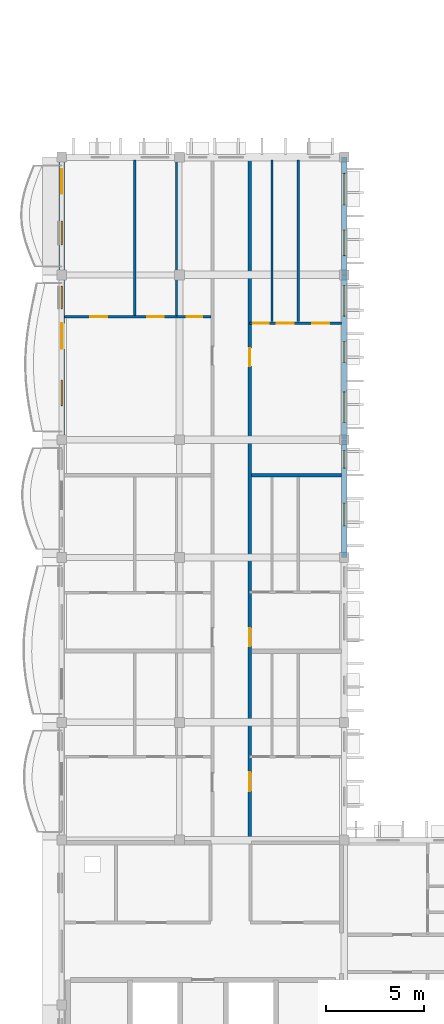
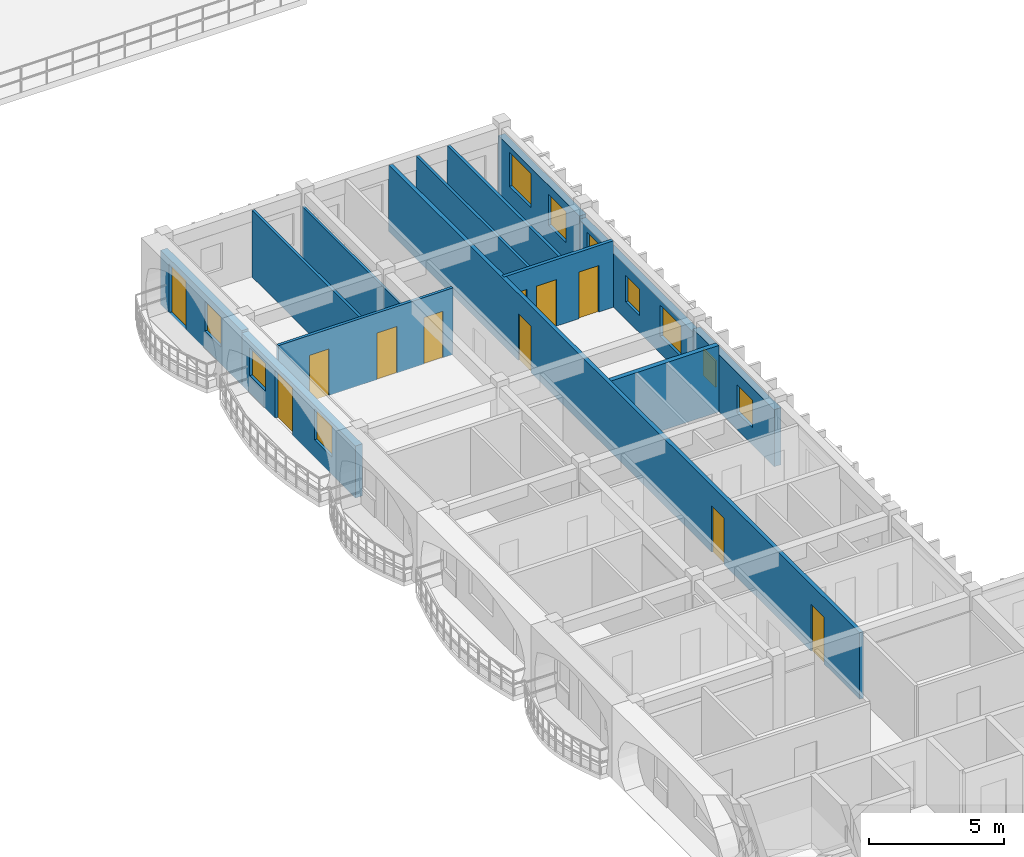
# One storey, part 18 of 66: 13 walls, 11 doors, 10 windows, 21 openings.
"""IFC4 building model written with IfcOpenShell, lengths in metres."""

from ifc_helpers import new_model, si_unit, direction, frame, frame_2d, origin, place, context, subcontext, project, spatial, rectangle, extrude, material, layer, layer_set, type_object, element, fill, save


model = new_model("IFC4")

# Units and contexts
model_context = context("Model", 3, precision=1e-05, world=origin(), true_north=direction((0.0, 1.0)))
body_context = subcontext(model_context, "Body", "Model", "MODEL_VIEW")
ifc_project = project(units=[si_unit("LENGTHUNIT", "METRE"), si_unit("AREAUNIT", "SQUARE_METRE"), si_unit("VOLUMEUNIT", "CUBIC_METRE"), si_unit("PLANEANGLEUNIT", "RADIAN"), si_unit("MASSUNIT", "GRAM", prefix="KILO"), si_unit("THERMODYNAMICTEMPERATUREUNIT", "KELVIN")], contexts=[model_context])

# Site, building, storey
site_placement = place(None, origin())
site = spatial("IfcSite", under=ifc_project, at=site_placement, CompositionType="ELEMENT")
building_placement = place(site_placement, origin())
building = spatial("IfcBuilding", under=site, at=building_placement, Name="Thalorik Housing Commons", CompositionType="ELEMENT")
storey_placement = place(building_placement, frame((0.0, 0.0, 21.300048828125)))
storey = spatial("IfcBuildingStorey", under=building, at=storey_placement, Name="L06", CompositionType="ELEMENT", Elevation=21.300048828125)

# Wall, openings, doors
ifc_material_1 = material(Name="Masonry fire-rated corridor wall", Category="masonry")
ifc_layer_1 = layer(ifc_material_1, 0.1650390625, Name="Masonry fire-rated corridor wall", Category="masonry")
ifc_layer_set_1 = layer_set([ifc_layer_1], Name="Masonry fire-rated corridor wall")
wall_type_1 = type_object("IfcWallType", Name="ARC-WAL-CORR-165", PredefinedType="PARTITIONING", material=ifc_layer_set_1)
wall_1_placement = place(storey_placement, frame((17.97998046875, 22.659912109375, 0.0), z_axis=(0.0, 0.0, 1.0), x_axis=(0.0, 1.0, 0.0)))
wall_1 = element("IfcWall", 1, at=wall_1_placement, inside=storey, type_object=wall_type_1, Name="L06 Block C W Corridor Wall 2", PredefinedType="PARTITIONING", context=body_context, shape_type="SweptSolid", body=[
    extrude(rectangle(XDim=34.79296875, YDim=0.1650390625, at=frame_2d((17.396484375, 0.0))), origin(), (0.0, 0.0, 1.0), 3.0),
])
opening_1_placement = place(wall_1_placement, frame((2.63037109375, 0.0, 0.0)))
opening_1 = element("IfcOpeningElement", 2, at=opening_1_placement, cuts=wall_1, Name="Opening ID-1815", PredefinedType="OPENING", context=body_context, shape_type="SweptSolid", body=[
    extrude(rectangle(XDim=0.9599609375, YDim=2.1201171875, at=frame_2d((0.47998046875, 1.06005859375))), frame((0.0, 0.092529296875, 0.0), z_axis=(0.0, -1.0, 0.0), x_axis=(1.0, 0.0, 0.0)), (0.0, 0.0, 1.0), 0.18505859375),
])
opening_2_placement = place(wall_1_placement, frame((10.02001953125, 0.0, 0.0)))
opening_2 = element("IfcOpeningElement", 3, at=opening_2_placement, cuts=wall_1, Name="Opening ID-1816", PredefinedType="OPENING", context=body_context, shape_type="SweptSolid", body=[
    extrude(rectangle(XDim=0.919921875, YDim=2.10009765625, at=frame_2d((0.4599609375, 1.050048828125))), frame((0.0, 0.092529296875, 0.0), z_axis=(0.0, -1.0, 0.0), x_axis=(1.0, 0.0, 0.0)), (0.0, 0.0, 1.0), 0.18505859375),
])
opening_3_placement = place(wall_1_placement, frame((24.288818359375, 0.0, 0.0)))
opening_3 = element("IfcOpeningElement", 4, at=opening_3_placement, cuts=wall_1, Name="Opening ID-1817", PredefinedType="OPENING", context=body_context, shape_type="SweptSolid", body=[
    extrude(rectangle(XDim=0.919921875, YDim=2.10009765625, at=frame_2d((0.4599609375, 1.050048828125))), frame((0.0, 0.092529296875, 0.0), z_axis=(0.0, -1.0, 0.0), x_axis=(1.0, 0.0, 0.0)), (0.0, 0.0, 1.0), 0.18505859375),
])
ifc_material_2 = material(Name="Solid core hardwood timber", Category="wood")
door_type_1 = type_object("IfcDoorType", Name="ARC-DR-FD30-920", OperationType="NOTDEFINED", PredefinedType="DOOR", material=ifc_material_2)
door_1_placement = place(opening_2_placement, origin())
door_1 = element("IfcDoor", 5, at=door_1_placement, inside=storey, type_object=door_type_1, Name="L06 Flat CW-2B Entrance Door", OperationType="SINGLE_SWING_LEFT", OverallHeight=2.10009765625, OverallWidth=0.919921875, PredefinedType="DOOR", context=body_context, shape_type="SweptSolid", body=[
    extrude(rectangle(XDim=0.919921875, YDim=2.10009765625, at=frame_2d((0.4599609375, 1.050048828125))), frame((0.0, 0.02490234375, 0.0), z_axis=(0.0, -1.0, 0.0), x_axis=(1.0, 0.0, 0.0)), (0.0, 0.0, 1.0), 0.050048828125),
])
fill(opening_2, door_1)
door_2_placement = place(opening_3_placement, origin())
door_2 = element("IfcDoor", 6, at=door_2_placement, inside=storey, type_object=door_type_1, Name="L06 Flat CW-3B Entrance Door", OperationType="SINGLE_SWING_RIGHT", OverallHeight=2.10009765625, OverallWidth=0.919921875, PredefinedType="DOOR", context=body_context, shape_type="SweptSolid", body=[
    extrude(rectangle(XDim=0.919921875, YDim=2.10009765625, at=frame_2d((0.4599609375, 1.050048828125))), frame((0.0, 0.02490234375, 0.0), z_axis=(0.0, -1.0, 0.0), x_axis=(1.0, 0.0, 0.0)), (0.0, 0.0, 1.0), 0.050048828125),
])
fill(opening_3, door_2)
door_type_2 = type_object("IfcDoorType", Name="ARC-DR-FD30-960", OperationType="NOTDEFINED", PredefinedType="DOOR", material=ifc_material_2)
door_3_placement = place(opening_1_placement, origin())
door_3 = element("IfcDoor", 7, at=door_3_placement, inside=storey, type_object=door_type_2, Name="L06 Flat CW-1B Entrance Door", OperationType="SINGLE_SWING_RIGHT", OverallHeight=2.1201171875, OverallWidth=0.9599609375, PredefinedType="DOOR", context=body_context, shape_type="SweptSolid", body=[
    extrude(rectangle(XDim=0.9599609375, YDim=2.1201171875, at=frame_2d((0.47998046875, 1.06005859375))), frame((0.0, 0.02490234375, 0.0), z_axis=(0.0, -1.0, 0.0), x_axis=(1.0, 0.0, 0.0)), (0.0, 0.0, 1.0), 0.050048828125),
])
fill(opening_1, door_3)

# Wall, openings, windows
ifc_material_3 = material(Name="White precast concrete C40/50", Category="concrete")
ifc_layer_2 = layer(ifc_material_3, 0.2900390625, Name="White precast concrete C40/50", Category="concrete")
ifc_layer_set_2 = layer_set([ifc_layer_2], Name="White precast concrete C40/50")
wall_type_2 = type_object("IfcWallType", Name="ARC-WAL-EXT-290", PredefinedType="STANDARD", material=ifc_layer_set_2)
wall_2_placement = place(storey_placement, frame((22.800048828125, 37.199951171875, 0.0), z_axis=(0.0, 0.0, 1.0), x_axis=(0.0, 1.0, 0.0)))
wall_2 = element("IfcWall", 8, at=wall_2_placement, inside=storey, type_object=wall_type_2, Name="L06 Exterior Wall WAL-EXT-L06-C-0991", PredefinedType="STANDARD", context=body_context, shape_type="SweptSolid", body=[
    extrude(rectangle(XDim=6.0, YDim=0.2900390625, at=frame_2d((3.0, 0.0))), origin(), (0.0, 0.0, 1.0), 2.574951171875),
])
opening_4_placement = place(wall_2_placement, frame((1.614990234375, 0.0, 0.780029296875)))
opening_4 = element("IfcOpeningElement", 9, at=opening_4_placement, cuts=wall_2, Name="Opening W-45", PredefinedType="OPENING", context=body_context, shape_type="SweptSolid", body=[
    extrude(rectangle(XDim=1.14990234375, YDim=1.25, at=frame_2d((0.574951171875, 0.625))), frame((0.0, 0.155029296875, 0.0), z_axis=(0.0, -1.0, 0.0), x_axis=(1.0, 0.0, 0.0)), (0.0, 0.0, 1.0), 0.31005859375),
])
opening_5_placement = place(wall_2_placement, frame((4.550048828125, 0.0, 0.780029296875)))
opening_5 = element("IfcOpeningElement", 10, at=opening_5_placement, cuts=wall_2, Name="Opening W-01", PredefinedType="OPENING", context=body_context, shape_type="SweptSolid", body=[
    extrude(rectangle(XDim=0.89990234375, YDim=1.199951171875, at=frame_2d((0.449951171875, 0.60009765625))), frame((0.0, 0.155029296875, 0.0), z_axis=(0.0, -1.0, 0.0), x_axis=(1.0, 0.0, 0.0)), (0.0, 0.0, 1.0), 0.31005859375),
])
ifc_material_4 = material(Name="Anodised aluminium and solar-control low-E glass", Category="aluminium")
window_type_1 = type_object("IfcWindowType", Name="ARC-WIN-01", PartitioningType="SINGLE_PANEL", PredefinedType="WINDOW", material=ifc_material_4)
window_1_placement = place(opening_5_placement, origin())
window_1 = element("IfcWindow", 11, at=window_1_placement, inside=storey, type_object=window_type_1, Name="L06 Facade Window 1831", OverallHeight=1.199951171875, OverallWidth=0.89990234375, PartitioningType="SINGLE_PANEL", PredefinedType="WINDOW", context=body_context, shape_type="SweptSolid", body=[
    extrude(rectangle(XDim=0.89990234375, YDim=1.199951171875, at=frame_2d((0.449951171875, 0.60009765625))), frame((0.0, 0.030029296875, 0.0), z_axis=(0.0, -1.0, 0.0), x_axis=(1.0, 0.0, 0.0)), (0.0, 0.0, 1.0), 0.06005859375),
])
fill(opening_5, window_1)
window_type_2 = type_object("IfcWindowType", Name="ARC-WIN-45", PartitioningType="SINGLE_PANEL", PredefinedType="WINDOW", material=ifc_material_4)
window_2_placement = place(opening_4_placement, origin())
window_2 = element("IfcWindow", 12, at=window_2_placement, inside=storey, type_object=window_type_2, Name="L06 Facade Window 1830", OverallHeight=1.25, OverallWidth=1.14990234375, PartitioningType="SINGLE_PANEL", PredefinedType="WINDOW", context=body_context, shape_type="SweptSolid", body=[
    extrude(rectangle(XDim=1.14990234375, YDim=1.25, at=frame_2d((0.574951171875, 0.625))), frame((0.0, 0.030029296875, 0.0), z_axis=(0.0, -1.0, 0.0), x_axis=(1.0, 0.0, 0.0)), (0.0, 0.0, 1.0), 0.06005859375),
])
fill(opening_4, window_2)

wall_3_placement = place(storey_placement, frame((22.800048828125, 43.199951171875, 0.0), z_axis=(0.0, 0.0, 1.0), x_axis=(0.0, 1.0, 0.0)))
wall_3 = element("IfcWall", 13, at=wall_3_placement, inside=storey, type_object=wall_type_2, Name="L06 Exterior Wall WAL-EXT-L06-C-0992", PredefinedType="STANDARD", context=body_context, shape_type="SweptSolid", body=[
    extrude(rectangle(XDim=8.400146484375, YDim=0.2900390625, at=frame_2d((4.2001953125, 0.0))), origin(), (0.0, 0.0, 1.0), 2.425048828125),
])
opening_6_placement = place(wall_3_placement, frame((0.887939453125, 0.0, 0.780029296875)))
opening_6 = element("IfcOpeningElement", 14, at=opening_6_placement, cuts=wall_3, Name="Opening W-12", PredefinedType="OPENING", context=body_context, shape_type="SweptSolid", body=[
    extrude(rectangle(XDim=1.550048828125, YDim=1.39990234375, at=frame_2d((0.77490234375, 0.699951171875))), frame((0.0, 0.155029296875, 0.0), z_axis=(0.0, -1.0, 0.0), x_axis=(1.0, 0.0, 0.0)), (0.0, 0.0, 1.0), 0.31005859375),
])
opening_7_placement = place(wall_3_placement, frame((3.944091796875, 0.0, 0.780029296875)))
opening_7 = element("IfcOpeningElement", 15, at=opening_7_placement, cuts=wall_3, Name="Opening W-44", PredefinedType="OPENING", context=body_context, shape_type="SweptSolid", body=[
    extrude(rectangle(XDim=1.050048828125, YDim=1.199951171875, at=frame_2d((0.52490234375, 0.60009765625))), frame((0.0, 0.155029296875, 0.0), z_axis=(0.0, -1.0, 0.0), x_axis=(1.0, 0.0, 0.0)), (0.0, 0.0, 1.0), 0.31005859375),
])
opening_8_placement = place(wall_3_placement, frame((6.301025390625, 0.0, 0.780029296875)))
opening_8 = element("IfcOpeningElement", 16, at=opening_8_placement, cuts=wall_3, Name="Opening W-12", PredefinedType="OPENING", context=body_context, shape_type="SweptSolid", body=[
    extrude(rectangle(XDim=1.550048828125, YDim=1.39990234375, at=frame_2d((0.77490234375, 0.699951171875))), frame((0.0, 0.155029296875, 0.0), z_axis=(0.0, -1.0, 0.0), x_axis=(1.0, 0.0, 0.0)), (0.0, 0.0, 1.0), 0.31005859375),
])
window_type_3 = type_object("IfcWindowType", Name="ARC-WIN-12", PartitioningType="SINGLE_PANEL", PredefinedType="WINDOW", material=ifc_material_4)
window_3_placement = place(opening_6_placement, origin())
window_3 = element("IfcWindow", 17, at=window_3_placement, inside=storey, type_object=window_type_3, Name="L06 Facade Window 1832", OverallHeight=1.39990234375, OverallWidth=1.550048828125, PartitioningType="SINGLE_PANEL", PredefinedType="WINDOW", context=body_context, shape_type="SweptSolid", body=[
    extrude(rectangle(XDim=1.550048828125, YDim=1.39990234375, at=frame_2d((0.77490234375, 0.699951171875))), frame((0.0, 0.030029296875, 0.0), z_axis=(0.0, -1.0, 0.0), x_axis=(1.0, 0.0, 0.0)), (0.0, 0.0, 1.0), 0.06005859375),
])
fill(opening_6, window_3)
window_4_placement = place(opening_8_placement, origin())
window_4 = element("IfcWindow", 18, at=window_4_placement, inside=storey, type_object=window_type_3, Name="L06 Facade Window 1834", OverallHeight=1.39990234375, OverallWidth=1.550048828125, PartitioningType="SINGLE_PANEL", PredefinedType="WINDOW", context=body_context, shape_type="SweptSolid", body=[
    extrude(rectangle(XDim=1.550048828125, YDim=1.39990234375, at=frame_2d((0.77490234375, 0.699951171875))), frame((0.0, 0.030029296875, 0.0), z_axis=(0.0, -1.0, 0.0), x_axis=(1.0, 0.0, 0.0)), (0.0, 0.0, 1.0), 0.06005859375),
])
fill(opening_8, window_4)
window_type_4 = type_object("IfcWindowType", Name="ARC-WIN-44", PartitioningType="SINGLE_PANEL", PredefinedType="WINDOW", material=ifc_material_4)
window_5_placement = place(opening_7_placement, origin())
window_5 = element("IfcWindow", 19, at=window_5_placement, inside=storey, type_object=window_type_4, Name="L06 Facade Window 1833", OverallHeight=1.199951171875, OverallWidth=1.050048828125, PartitioningType="SINGLE_PANEL", PredefinedType="WINDOW", context=body_context, shape_type="SweptSolid", body=[
    extrude(rectangle(XDim=1.050048828125, YDim=1.199951171875, at=frame_2d((0.52490234375, 0.60009765625))), frame((0.0, 0.030029296875, 0.0), z_axis=(0.0, -1.0, 0.0), x_axis=(1.0, 0.0, 0.0)), (0.0, 0.0, 1.0), 0.06005859375),
])
fill(opening_7, window_5)

wall_4_placement = place(storey_placement, frame((22.800048828125, 51.60009765625, 0.0), z_axis=(0.0, 0.0, 1.0), x_axis=(0.0, 1.0, 0.0)))
wall_4 = element("IfcWall", 20, at=wall_4_placement, inside=storey, type_object=wall_type_2, Name="L06 Exterior Wall WAL-EXT-L06-C-0993", PredefinedType="STANDARD", context=body_context, shape_type="SweptSolid", body=[
    extrude(rectangle(XDim=6.0, YDim=0.2900390625, at=frame_2d((3.0, 0.0))), origin(), (0.0, 0.0, 1.0), 2.574951171875),
])
opening_9_placement = place(wall_4_placement, frame((0.97998046875, 0.0, 0.780029296875)))
opening_9 = element("IfcOpeningElement", 21, at=opening_9_placement, cuts=wall_4, Name="Opening W-06", PredefinedType="OPENING", context=body_context, shape_type="SweptSolid", body=[
    extrude(rectangle(XDim=1.300048828125, YDim=1.39990234375, at=frame_2d((0.64990234375, 0.699951171875))), frame((0.0, 0.155029296875, 0.0), z_axis=(0.0, -1.0, 0.0), x_axis=(1.0, 0.0, 0.0)), (0.0, 0.0, 1.0), 0.31005859375),
])
opening_10_placement = place(wall_4_placement, frame((3.570068359375, 0.0, 0.780029296875)))
opening_10 = element("IfcOpeningElement", 22, at=opening_10_placement, cuts=wall_4, Name="Opening W-13", PredefinedType="OPENING", context=body_context, shape_type="SweptSolid", body=[
    extrude(rectangle(XDim=1.60009765625, YDim=1.550048828125, at=frame_2d((0.800048828125, 0.77490234375))), frame((0.0, 0.155029296875, 0.0), z_axis=(0.0, -1.0, 0.0), x_axis=(1.0, 0.0, 0.0)), (0.0, 0.0, 1.0), 0.31005859375),
])
window_type_5 = type_object("IfcWindowType", Name="ARC-WIN-06", PartitioningType="SINGLE_PANEL", PredefinedType="WINDOW", material=ifc_material_4)
window_6_placement = place(opening_9_placement, origin())
window_6 = element("IfcWindow", 23, at=window_6_placement, inside=storey, type_object=window_type_5, Name="L06 Facade Window 1835", OverallHeight=1.39990234375, OverallWidth=1.300048828125, PartitioningType="SINGLE_PANEL", PredefinedType="WINDOW", context=body_context, shape_type="SweptSolid", body=[
    extrude(rectangle(XDim=1.300048828125, YDim=1.39990234375, at=frame_2d((0.64990234375, 0.699951171875))), frame((0.0, 0.030029296875, 0.0), z_axis=(0.0, -1.0, 0.0), x_axis=(1.0, 0.0, 0.0)), (0.0, 0.0, 1.0), 0.06005859375),
])
fill(opening_9, window_6)
window_type_6 = type_object("IfcWindowType", Name="ARC-WIN-13", PartitioningType="DOUBLE_PANEL_VERTICAL", PredefinedType="WINDOW", material=ifc_material_4)
window_7_placement = place(opening_10_placement, origin())
window_7 = element("IfcWindow", 24, at=window_7_placement, inside=storey, type_object=window_type_6, Name="L06 Facade Window 1836", OverallHeight=1.550048828125, OverallWidth=1.60009765625, PartitioningType="DOUBLE_PANEL_VERTICAL", PredefinedType="WINDOW", context=body_context, shape_type="SweptSolid", body=[
    extrude(rectangle(XDim=1.60009765625, YDim=1.550048828125, at=frame_2d((0.800048828125, 0.77490234375))), frame((0.0, 0.030029296875, 0.0), z_axis=(0.0, -1.0, 0.0), x_axis=(1.0, 0.0, 0.0)), (0.0, 0.0, 1.0), 0.06005859375),
])
fill(opening_10, window_7)

# Wall, openings, door, window
wall_5_placement = place(storey_placement, frame((8.39990234375, 57.60009765625, 0.0), z_axis=(0.0, 0.0, 1.0), x_axis=(0.0, -1.0, 0.0)))
wall_5 = element("IfcWall", 25, at=wall_5_placement, inside=storey, type_object=wall_type_2, Name="L06 Exterior Wall WAL-EXT-L06-C-0996", PredefinedType="STANDARD", context=body_context, shape_type="SweptSolid", body=[
    extrude(rectangle(XDim=6.0, YDim=0.2900390625, at=frame_2d((3.0, 0.0))), origin(), (0.0, 0.0, 1.0), 2.445068359375),
])
opening_11_placement = place(wall_5_placement, frame((0.6201171875, 0.0, 0.0)))
opening_11 = element("IfcOpeningElement", 26, at=opening_11_placement, cuts=wall_5, Name="Opening ED-0328", PredefinedType="OPENING", context=body_context, shape_type="SweptSolid", body=[
    extrude(rectangle(XDim=1.25, YDim=2.199951171875, at=frame_2d((0.625, 1.10009765625))), frame((0.0, 0.155029296875, 0.0), z_axis=(0.0, -1.0, 0.0), x_axis=(1.0, 0.0, 0.0)), (0.0, 0.0, 1.0), 0.31005859375),
])
opening_12_placement = place(wall_5_placement, frame((3.264892578125, 0.0, 0.780029296875)))
opening_12 = element("IfcOpeningElement", 27, at=opening_12_placement, cuts=wall_5, Name="Opening W-04", PredefinedType="OPENING", context=body_context, shape_type="SweptSolid", body=[
    extrude(rectangle(XDim=1.199951171875, YDim=1.35009765625, at=frame_2d((0.60009765625, 0.675048828125))), frame((0.0, 0.155029296875, 0.0), z_axis=(0.0, -1.0, 0.0), x_axis=(1.0, 0.0, 0.0)), (0.0, 0.0, 1.0), 0.31005859375),
])
ifc_material_5 = material(Name="Anodised aluminium and laminated safety glass", Category="aluminium")
door_type_3 = type_object("IfcDoorType", Name="ARC-DR-BAL-1250", OperationType="NOTDEFINED", PredefinedType="DOOR", material=ifc_material_5)
door_4_placement = place(opening_11_placement, frame((1.25, 0.0, 0.0), z_axis=(0.0, 0.0, 1.0), x_axis=(-1.0, 0.0, 0.0)))
door_4 = element("IfcDoor", 28, at=door_4_placement, inside=storey, type_object=door_type_3, Name="L06 Block C Balcony Glazed Door", OperationType="SINGLE_SWING_LEFT", OverallHeight=2.199951171875, OverallWidth=1.25, PredefinedType="DOOR", context=body_context, shape_type="SweptSolid", body=[
    extrude(rectangle(XDim=1.25, YDim=2.199951171875, at=frame_2d((0.625, 1.10009765625))), frame((0.0, 0.02490234375, 0.0), z_axis=(0.0, -1.0, 0.0), x_axis=(1.0, 0.0, 0.0)), (0.0, 0.0, 1.0), 0.050048828125),
])
fill(opening_11, door_4)
window_type_7 = type_object("IfcWindowType", Name="ARC-WIN-04", PartitioningType="SINGLE_PANEL", PredefinedType="WINDOW", material=ifc_material_4)
window_8_placement = place(opening_12_placement, origin())
window_8 = element("IfcWindow", 29, at=window_8_placement, inside=storey, type_object=window_type_7, Name="L06 Facade Window 1842", OverallHeight=1.35009765625, OverallWidth=1.199951171875, PartitioningType="SINGLE_PANEL", PredefinedType="WINDOW", context=body_context, shape_type="SweptSolid", body=[
    extrude(rectangle(XDim=1.199951171875, YDim=1.35009765625, at=frame_2d((0.60009765625, 0.675048828125))), frame((0.0, 0.030029296875, 0.0), z_axis=(0.0, -1.0, 0.0), x_axis=(1.0, 0.0, 0.0)), (0.0, 0.0, 1.0), 0.06005859375),
])
fill(opening_12, window_8)

# Wall, openings, door, windows
wall_6_placement = place(storey_placement, frame((8.39990234375, 51.60009765625, 0.0), z_axis=(0.0, 0.0, 1.0), x_axis=(0.0, -1.0, 0.0)))
wall_6 = element("IfcWall", 30, at=wall_6_placement, inside=storey, type_object=wall_type_2, Name="L06 Exterior Wall WAL-EXT-L06-C-0997", PredefinedType="STANDARD", context=body_context, shape_type="SweptSolid", body=[
    extrude(rectangle(XDim=8.400146484375, YDim=0.2900390625, at=frame_2d((4.2001953125, 0.0))), origin(), (0.0, 0.0, 1.0), 2.344970703125),
])
opening_13_placement = place(wall_6_placement, frame((2.465087890625, 0.0, 0.0)))
opening_13 = element("IfcOpeningElement", 31, at=opening_13_placement, cuts=wall_6, Name="Opening ED-0329", PredefinedType="OPENING", context=body_context, shape_type="SweptSolid", body=[
    extrude(rectangle(XDim=1.300048828125, YDim=2.14990234375, at=frame_2d((0.64990234375, 1.074951171875))), frame((0.0, 0.155029296875, 0.0), z_axis=(0.0, -1.0, 0.0), x_axis=(1.0, 0.0, 0.0)), (0.0, 0.0, 1.0), 0.31005859375),
])
opening_14_placement = place(wall_6_placement, frame((0.58740234375, 0.0, 0.780029296875)))
opening_14 = element("IfcOpeningElement", 32, at=opening_14_placement, cuts=wall_6, Name="Opening W-45", PredefinedType="OPENING", context=body_context, shape_type="SweptSolid", body=[
    extrude(rectangle(XDim=1.14990234375, YDim=1.25, at=frame_2d((0.574951171875, 0.625))), frame((0.0, 0.155029296875, 0.0), z_axis=(0.0, -1.0, 0.0), x_axis=(1.0, 0.0, 0.0)), (0.0, 0.0, 1.0), 0.31005859375),
])
opening_15_placement = place(wall_6_placement, frame((5.362548828125, 0.0, 0.780029296875)))
opening_15 = element("IfcOpeningElement", 33, at=opening_15_placement, cuts=wall_6, Name="Opening W-06", PredefinedType="OPENING", context=body_context, shape_type="SweptSolid", body=[
    extrude(rectangle(XDim=1.300048828125, YDim=1.39990234375, at=frame_2d((0.64990234375, 0.699951171875))), frame((0.0, 0.155029296875, 0.0), z_axis=(0.0, -1.0, 0.0), x_axis=(1.0, 0.0, 0.0)), (0.0, 0.0, 1.0), 0.31005859375),
])
door_type_4 = type_object("IfcDoorType", Name="ARC-DR-BAL-1300", OperationType="NOTDEFINED", PredefinedType="DOOR", material=ifc_material_5)
door_5_placement = place(opening_13_placement, frame((1.300048828125, 0.0, 0.0), z_axis=(0.0, 0.0, 1.0), x_axis=(-1.0, 0.0, 0.0)))
door_5 = element("IfcDoor", 34, at=door_5_placement, inside=storey, type_object=door_type_4, Name="L06 Block C Balcony Glazed Door", OperationType="SINGLE_SWING_RIGHT", OverallHeight=2.14990234375, OverallWidth=1.300048828125, PredefinedType="DOOR", context=body_context, shape_type="SweptSolid", body=[
    extrude(rectangle(XDim=1.300048828125, YDim=2.14990234375, at=frame_2d((0.64990234375, 1.074951171875))), frame((0.0, 0.02490234375, 0.0), z_axis=(0.0, -1.0, 0.0), x_axis=(1.0, 0.0, 0.0)), (0.0, 0.0, 1.0), 0.050048828125),
])
fill(opening_13, door_5)
window_9_placement = place(opening_15_placement, origin())
window_9 = element("IfcWindow", 35, at=window_9_placement, inside=storey, type_object=window_type_5, Name="L06 Facade Window 1844", OverallHeight=1.39990234375, OverallWidth=1.300048828125, PartitioningType="SINGLE_PANEL", PredefinedType="WINDOW", context=body_context, shape_type="SweptSolid", body=[
    extrude(rectangle(XDim=1.300048828125, YDim=1.39990234375, at=frame_2d((0.64990234375, 0.699951171875))), frame((0.0, 0.030029296875, 0.0), z_axis=(0.0, -1.0, 0.0), x_axis=(1.0, 0.0, 0.0)), (0.0, 0.0, 1.0), 0.06005859375),
])
fill(opening_15, window_9)
window_10_placement = place(opening_14_placement, origin())
window_10 = element("IfcWindow", 36, at=window_10_placement, inside=storey, type_object=window_type_2, Name="L06 Facade Window 1843", OverallHeight=1.25, OverallWidth=1.14990234375, PartitioningType="SINGLE_PANEL", PredefinedType="WINDOW", context=body_context, shape_type="SweptSolid", body=[
    extrude(rectangle(XDim=1.14990234375, YDim=1.25, at=frame_2d((0.574951171875, 0.625))), frame((0.0, 0.030029296875, 0.0), z_axis=(0.0, -1.0, 0.0), x_axis=(1.0, 0.0, 0.0)), (0.0, 0.0, 1.0), 0.06005859375),
])
fill(opening_14, window_10)

# Walls
ifc_material_6 = material(Name="Gypsum light stud partition", Category="masonry")
ifc_layer_3 = layer(ifc_material_6, 0.10009765625, Name="Gypsum light stud partition", Category="masonry")
ifc_layer_set_3 = layer_set([ifc_layer_3], Name="Gypsum light stud partition")
wall_type_3 = type_object("IfcWallType", Name="ARC-WAL-PART-100", PredefinedType="PARTITIONING", material=ifc_layer_set_3)
wall_7_placement = place(storey_placement, frame((14.251220703125, 49.529541015625, 0.0), z_axis=(0.0, 0.0, 1.0), x_axis=(0.0, 1.0, 0.0)))
element("IfcWall", 37, at=wall_7_placement, inside=storey, type_object=wall_type_3, Name="L06 Unit 3 Wet Wall", PredefinedType="PARTITIONING", context=body_context, shape_type="SweptSolid", body=[
    extrude(rectangle(XDim=7.92333984375, YDim=0.10009765625, at=frame_2d((3.961669921875, 0.0))), origin(), (0.0, 0.0, 1.0), 2.425048828125),
])
ifc_material_7 = material(Name="Gypsum moisture-resistant partition", Category="masonry")
ifc_layer_4 = layer(ifc_material_7, 0.114990234375, Name="Gypsum moisture-resistant partition", Category="masonry")
ifc_layer_set_4 = layer_set([ifc_layer_4], Name="Gypsum moisture-resistant partition")
wall_type_4 = type_object("IfcWallType", Name="ARC-WAL-PART-115", PredefinedType="PARTITIONING", material=ifc_layer_set_4)
wall_8_placement = place(storey_placement, frame((12.11767578125, 49.529541015625, 0.0), z_axis=(0.0, 0.0, 1.0), x_axis=(0.0, 1.0, 0.0)))
element("IfcWall", 38, at=wall_8_placement, inside=storey, type_object=wall_type_4, Name="L06 Unit 3 Bedroom Partition", PredefinedType="PARTITIONING", context=body_context, shape_type="SweptSolid", body=[
    extrude(rectangle(XDim=7.92333984375, YDim=0.114990234375, at=frame_2d((3.961669921875, 0.0))), origin(), (0.0, 0.0, 1.0), 3.0),
])
wall_9_placement = place(storey_placement, frame((19.122314453125, 49.214111328125, 0.0), z_axis=(0.0, 0.0, 1.0), x_axis=(0.0, 1.0, 0.0)))
element("IfcWall", 39, at=wall_9_placement, inside=storey, type_object=wall_type_4, Name="L06 Unit 3B Wet Wall", PredefinedType="PARTITIONING", context=body_context, shape_type="SweptSolid", body=[
    extrude(rectangle(XDim=8.23876953125, YDim=0.114990234375, at=frame_2d((4.119384765625, 0.0))), origin(), (0.0, 0.0, 1.0), 3.0),
])

# Wall, openings, doors
ifc_material_8 = material(Name="Gypsum acoustic stud partition", Category="masonry")
ifc_layer_5 = layer(ifc_material_8, 0.125, Name="Gypsum acoustic stud partition", Category="masonry")
ifc_layer_set_5 = layer_set([ifc_layer_5], Name="Gypsum acoustic stud partition")
wall_type_5 = type_object("IfcWallType", Name="ARC-WAL-PART-125", PredefinedType="PARTITIONING", material=ifc_layer_set_5)
wall_10_placement = place(storey_placement, frame((8.547119140625, 49.465087890625, 0.0), z_axis=(0.0, 0.0, 1.0), x_axis=(1.0, 0.0, 0.0)))
wall_10 = element("IfcWall", 40, at=wall_10_placement, inside=storey, type_object=wall_type_5, Name="L06 Unit 3 Spine Partition", PredefinedType="PARTITIONING", context=body_context, shape_type="SweptSolid", body=[
    extrude(rectangle(XDim=7.455810546875, YDim=0.125, at=frame_2d((3.72802734375, 0.0))), origin(), (0.0, 0.0, 1.0), 3.0),
])
opening_16_placement = place(wall_10_placement, frame((1.31689453125, 0.0, 0.0)))
opening_16 = element("IfcOpeningElement", 41, at=opening_16_placement, cuts=wall_10, Name="Opening ID-1806", PredefinedType="OPENING", context=body_context, shape_type="SweptSolid", body=[
    extrude(rectangle(XDim=0.85009765625, YDim=2.10009765625, at=frame_2d((0.425048828125, 1.050048828125))), frame((0.0, 0.072509765625, 0.0), z_axis=(0.0, -1.0, 0.0), x_axis=(1.0, 0.0, 0.0)), (0.0, 0.0, 1.0), 0.14501953125),
])
opening_17_placement = place(wall_10_placement, frame((4.21240234375, 0.0, 0.0)))
opening_17 = element("IfcOpeningElement", 42, at=opening_17_placement, cuts=wall_10, Name="Opening ID-1807", PredefinedType="OPENING", context=body_context, shape_type="SweptSolid", body=[
    extrude(rectangle(XDim=0.85009765625, YDim=2.10009765625, at=frame_2d((0.425048828125, 1.050048828125))), frame((0.0, 0.072509765625, 0.0), z_axis=(0.0, -1.0, 0.0), x_axis=(1.0, 0.0, 0.0)), (0.0, 0.0, 1.0), 0.14501953125),
])
opening_18_placement = place(wall_10_placement, frame((6.218505859375, 0.0, 0.0)))
opening_18 = element("IfcOpeningElement", 43, at=opening_18_placement, cuts=wall_10, Name="Opening ID-1808", PredefinedType="OPENING", context=body_context, shape_type="SweptSolid", body=[
    extrude(rectangle(XDim=0.800048828125, YDim=2.10009765625, at=frame_2d((0.39990234375, 1.050048828125))), frame((0.0, 0.072509765625, 0.0), z_axis=(0.0, -1.0, 0.0), x_axis=(1.0, 0.0, 0.0)), (0.0, 0.0, 1.0), 0.14501953125),
])
ifc_material_9 = material(Name="Moisture-resistant timber", Category="wood")
door_type_5 = type_object("IfcDoorType", Name="ARC-DR-INT-800", OperationType="NOTDEFINED", PredefinedType="DOOR", material=ifc_material_9)
door_6_placement = place(opening_18_placement, origin())
door_6 = element("IfcDoor", 44, at=door_6_placement, inside=storey, type_object=door_type_5, Name="L06 Flat Bathroom Door", OperationType="SINGLE_SWING_LEFT", OverallHeight=2.10009765625, OverallWidth=0.800048828125, PredefinedType="DOOR", context=body_context, shape_type="SweptSolid", body=[
    extrude(rectangle(XDim=0.800048828125, YDim=2.10009765625, at=frame_2d((0.39990234375, 1.050048828125))), frame((0.0, 0.02490234375, 0.0), z_axis=(0.0, -1.0, 0.0), x_axis=(1.0, 0.0, 0.0)), (0.0, 0.0, 1.0), 0.050048828125),
])
fill(opening_18, door_6)
ifc_material_10 = material(Name="Engineered oak timber", Category="wood")
door_type_6 = type_object("IfcDoorType", Name="ARC-DR-INT-850", OperationType="NOTDEFINED", PredefinedType="DOOR", material=ifc_material_10)
door_7_placement = place(opening_16_placement, origin())
door_7 = element("IfcDoor", 45, at=door_7_placement, inside=storey, type_object=door_type_6, Name="L06 Single Bedroom Door", OperationType="SINGLE_SWING_LEFT", OverallHeight=2.10009765625, OverallWidth=0.85009765625, PredefinedType="DOOR", context=body_context, shape_type="SweptSolid", body=[
    extrude(rectangle(XDim=0.85009765625, YDim=2.10009765625, at=frame_2d((0.425048828125, 1.050048828125))), frame((0.0, 0.02490234375, 0.0), z_axis=(0.0, -1.0, 0.0), x_axis=(1.0, 0.0, 0.0)), (0.0, 0.0, 1.0), 0.050048828125),
])
fill(opening_16, door_7)
door_8_placement = place(opening_17_placement, origin())
door_8 = element("IfcDoor", 46, at=door_8_placement, inside=storey, type_object=door_type_6, Name="L06 Galley Kitchen Door", OperationType="SINGLE_SWING_RIGHT", OverallHeight=2.10009765625, OverallWidth=0.85009765625, PredefinedType="DOOR", context=body_context, shape_type="SweptSolid", body=[
    extrude(rectangle(XDim=0.85009765625, YDim=2.10009765625, at=frame_2d((0.425048828125, 1.050048828125))), frame((0.0, 0.02490234375, 0.0), z_axis=(0.0, -1.0, 0.0), x_axis=(1.0, 0.0, 0.0)), (0.0, 0.0, 1.0), 0.050048828125),
])
fill(opening_17, door_8)

# Wall
wall_11_placement = place(storey_placement, frame((20.455078125, 49.214111328125, 0.0), z_axis=(0.0, 0.0, 1.0), x_axis=(0.0, 1.0, 0.0)))
element("IfcWall", 47, at=wall_11_placement, inside=storey, type_object=wall_type_5, Name="L06 Unit 3B Bedroom Partition", PredefinedType="PARTITIONING", context=body_context, shape_type="SweptSolid", body=[
    extrude(rectangle(XDim=8.23876953125, YDim=0.125, at=frame_2d((4.119384765625, 0.0))), origin(), (0.0, 0.0, 1.0), 3.0),
])

# Wall, openings, doors
ifc_material_11 = material(Name="Ceramic masonry partition wall", Category="masonry")
ifc_layer_6 = layer(ifc_material_11, 0.139892578125, Name="Ceramic masonry partition wall", Category="masonry")
ifc_layer_set_6 = layer_set([ifc_layer_6], Name="Ceramic masonry partition wall")
wall_type_6 = type_object("IfcWallType", Name="ARC-WAL-PART-140", PredefinedType="PARTITIONING", material=ifc_layer_set_6)
wall_12_placement = place(storey_placement, frame((17.97998046875, 49.14208984375, 0.0), z_axis=(0.0, 0.0, 1.0), x_axis=(1.0, 0.0, 0.0)))
wall_12 = element("IfcWall", 48, at=wall_12_placement, inside=storey, type_object=wall_type_6, Name="L06 Unit 3B Spine Partition", PredefinedType="PARTITIONING", context=body_context, shape_type="SweptSolid", body=[
    extrude(rectangle(XDim=4.673095703125, YDim=0.139892578125, at=frame_2d((2.33642578125, 0.0))), origin(), (0.0, 0.0, 1.0), 3.0),
])
opening_19_placement = place(wall_12_placement, frame((0.171142578125, 0.0, 0.0)))
opening_19 = element("IfcOpeningElement", 49, at=opening_19_placement, cuts=wall_12, Name="Opening ID-1809", PredefinedType="OPENING", context=body_context, shape_type="SweptSolid", body=[
    extrude(rectangle(XDim=0.800048828125, YDim=2.10009765625, at=frame_2d((0.39990234375, 1.050048828125))), frame((0.0, 0.080078125, 0.0), z_axis=(0.0, -1.0, 0.0), x_axis=(1.0, 0.0, 0.0)), (0.0, 0.0, 1.0), 0.159912109375),
])
opening_20_placement = place(wall_12_placement, frame((1.3837890625, 0.0, 0.0)))
opening_20 = element("IfcOpeningElement", 50, at=opening_20_placement, cuts=wall_12, Name="Opening ID-1810", PredefinedType="OPENING", context=body_context, shape_type="SweptSolid", body=[
    extrude(rectangle(XDim=0.85009765625, YDim=2.10009765625, at=frame_2d((0.425048828125, 1.050048828125))), frame((0.0, 0.080078125, 0.0), z_axis=(0.0, -1.0, 0.0), x_axis=(1.0, 0.0, 0.0)), (0.0, 0.0, 1.0), 0.159912109375),
])
opening_21_placement = place(wall_12_placement, frame((3.192626953125, 0.0, 0.0)))
opening_21 = element("IfcOpeningElement", 51, at=opening_21_placement, cuts=wall_12, Name="Opening ID-1811", PredefinedType="OPENING", context=body_context, shape_type="SweptSolid", body=[
    extrude(rectangle(XDim=0.85009765625, YDim=2.10009765625, at=frame_2d((0.425048828125, 1.050048828125))), frame((0.0, 0.080078125, 0.0), z_axis=(0.0, -1.0, 0.0), x_axis=(1.0, 0.0, 0.0)), (0.0, 0.0, 1.0), 0.159912109375),
])
door_9_placement = place(opening_19_placement, origin())
door_9 = element("IfcDoor", 52, at=door_9_placement, inside=storey, type_object=door_type_5, Name="L06 Flat Bathroom Door", OperationType="SINGLE_SWING_RIGHT", OverallHeight=2.10009765625, OverallWidth=0.800048828125, PredefinedType="DOOR", context=body_context, shape_type="SweptSolid", body=[
    extrude(rectangle(XDim=0.800048828125, YDim=2.10009765625, at=frame_2d((0.39990234375, 1.050048828125))), frame((0.0, 0.02490234375, 0.0), z_axis=(0.0, -1.0, 0.0), x_axis=(1.0, 0.0, 0.0)), (0.0, 0.0, 1.0), 0.050048828125),
])
fill(opening_19, door_9)
door_10_placement = place(opening_20_placement, origin())
door_10 = element("IfcDoor", 53, at=door_10_placement, inside=storey, type_object=door_type_6, Name="L06 Galley Kitchen Door", OperationType="SINGLE_SWING_LEFT", OverallHeight=2.10009765625, OverallWidth=0.85009765625, PredefinedType="DOOR", context=body_context, shape_type="SweptSolid", body=[
    extrude(rectangle(XDim=0.85009765625, YDim=2.10009765625, at=frame_2d((0.425048828125, 1.050048828125))), frame((0.0, 0.02490234375, 0.0), z_axis=(0.0, -1.0, 0.0), x_axis=(1.0, 0.0, 0.0)), (0.0, 0.0, 1.0), 0.050048828125),
])
fill(opening_20, door_10)
door_11_placement = place(opening_21_placement, origin())
door_11 = element("IfcDoor", 54, at=door_11_placement, inside=storey, type_object=door_type_6, Name="L06 Double Bedroom Door", OperationType="SINGLE_SWING_RIGHT", OverallHeight=2.10009765625, OverallWidth=0.85009765625, PredefinedType="DOOR", context=body_context, shape_type="SweptSolid", body=[
    extrude(rectangle(XDim=0.85009765625, YDim=2.10009765625, at=frame_2d((0.425048828125, 1.050048828125))), frame((0.0, 0.02490234375, 0.0), z_axis=(0.0, -1.0, 0.0), x_axis=(1.0, 0.0, 0.0)), (0.0, 0.0, 1.0), 0.050048828125),
])
fill(opening_21, door_11)

# Wall
ifc_material_12 = material(Name="Precast concrete C40/50 acoustic wall", Category="concrete")
ifc_layer_7 = layer(ifc_material_12, 0.199951171875, Name="Precast concrete C40/50 acoustic wall", Category="concrete")
ifc_layer_set_7 = layer_set([ifc_layer_7], Name="Precast concrete C40/50 acoustic wall")
wall_type_7 = type_object("IfcWallType", Name="ARC-WAL-PARTY-200", PredefinedType="PARTITIONING", material=ifc_layer_set_7)
wall_13_placement = place(storey_placement, frame((18.064453125, 41.389892578125, 0.0), z_axis=(0.0, 0.0, 1.0), x_axis=(1.0, 0.0, 0.0)))
element("IfcWall", 55, at=wall_13_placement, inside=storey, type_object=wall_type_7, Name="L06 Inter-Tenancy Wall 2B", PredefinedType="PARTITIONING", context=body_context, shape_type="SweptSolid", body=[
    extrude(rectangle(XDim=4.588623046875, YDim=0.199951171875, at=frame_2d((2.29443359375, 0.0))), origin(), (0.0, 0.0, 1.0), 3.0),
])

save(model, "model.ifc")
